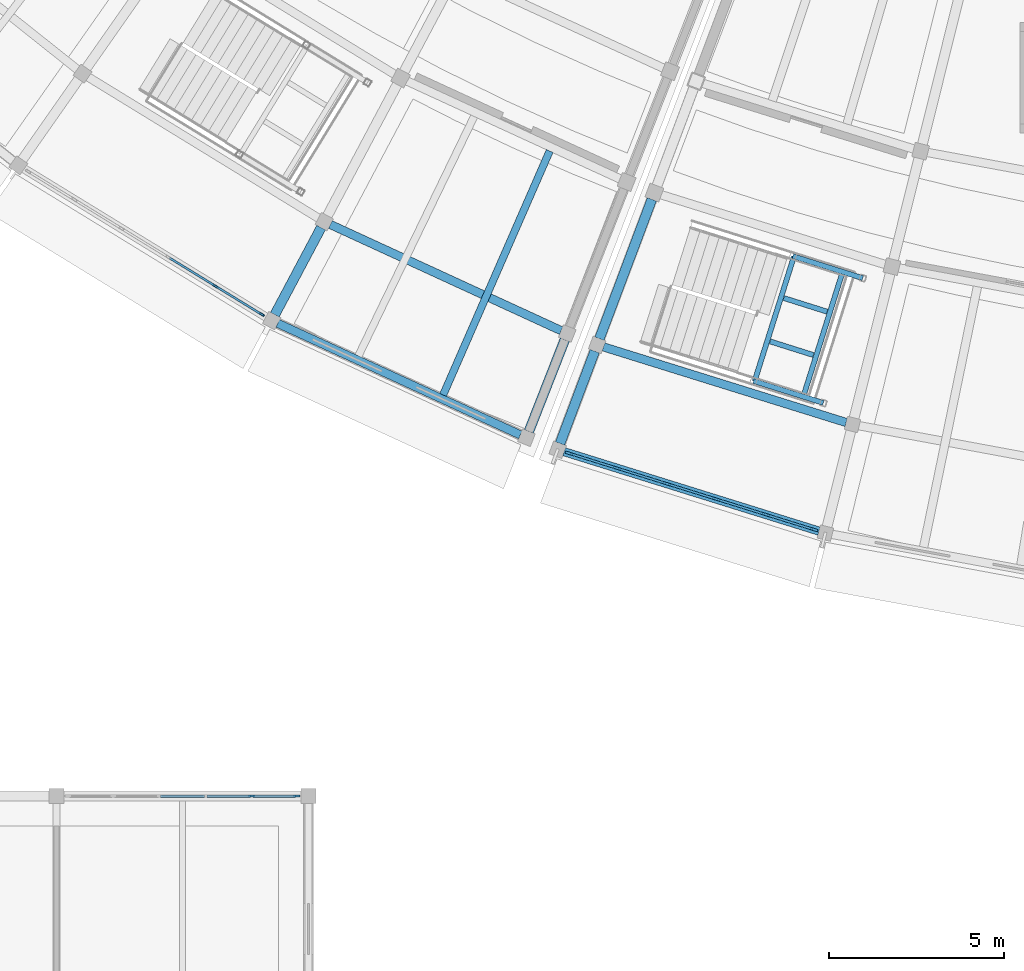
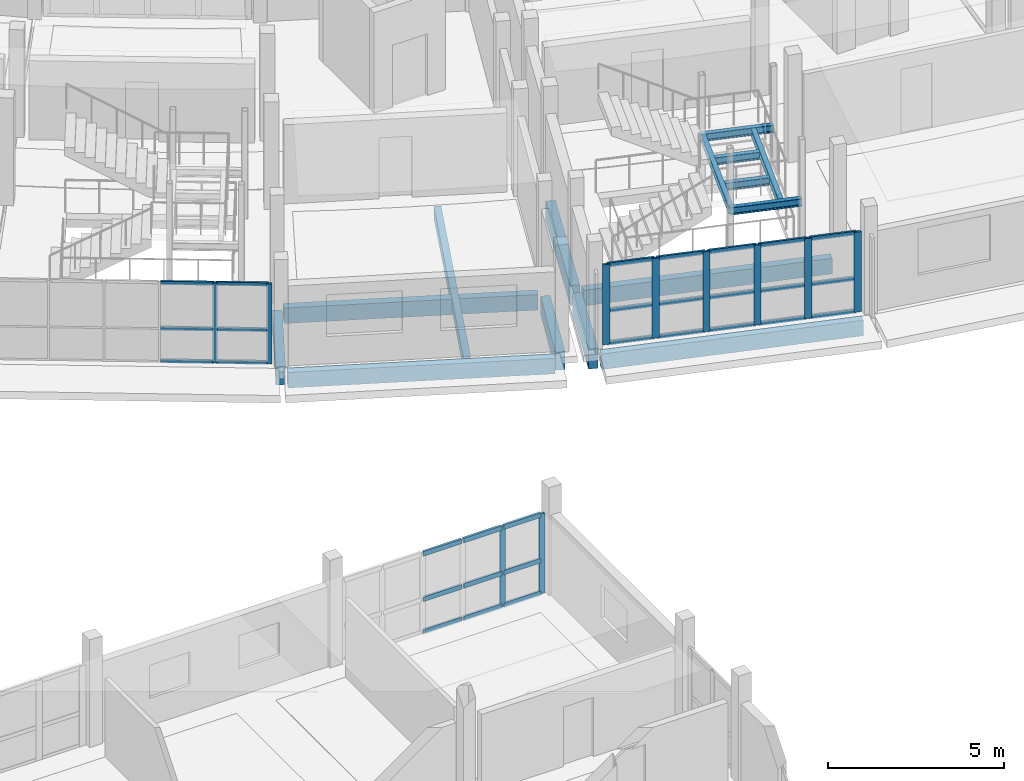
# One storey, part 16 of 66: 40 members, 15 beams, 3 elements without a shape of their own.
"""IFC4 building model written with IfcOpenShell, lengths in metres."""

from ifc_helpers import new_model, si_unit, direction, frame, origin, origin_2d, place, context, subcontext, project, spatial, rectangle, i_section, extrude, material, layer, layer_set, material_profile, profile_set, type_object, element, aggregate, save


model = new_model("IFC4")

# Units and contexts
model_context = context("Model", 3, precision=1e-05, world=origin(), true_north=direction((0.0, 1.0)))
body_context = subcontext(model_context, "Body", "Model", "MODEL_VIEW")
ifc_project = project(units=[si_unit("LENGTHUNIT", "METRE"), si_unit("AREAUNIT", "SQUARE_METRE"), si_unit("VOLUMEUNIT", "CUBIC_METRE"), si_unit("PLANEANGLEUNIT", "RADIAN"), si_unit("MASSUNIT", "GRAM", prefix="KILO")], contexts=[model_context])

# Site, building, storey
site_placement = place(None, origin())
site = spatial("IfcSite", under=ifc_project, at=site_placement, CompositionType="ELEMENT")
building_placement = place(site_placement, origin())
building = spatial("IfcBuilding", under=site, at=building_placement, Name="Caldaven Crescent School", CompositionType="ELEMENT")
storey_placement = place(building_placement, frame((0.0, 0.0, 8.159912109375)))
storey = spatial("IfcBuildingStorey", under=building, at=storey_placement, Name="L02", CompositionType="ELEMENT", Elevation=8.159912109375)

# Beams
ifc_material_1 = material(Name="Glulam MLE24h (GL28h)", Category="wood")
ifc_material_profile_1 = material_profile(ifc_material_1, rectangle(XDim=0.239990234375, YDim=0.5400390625, at=origin_2d()), Name="MLE 240x540")
ifc_profile_set_1 = profile_set([ifc_material_profile_1], Name="Glulam MLE24h (GL28h)")
beam_type_1 = type_object("IfcBeamType", Name="BM-GL54", PredefinedType="BEAM", material=ifc_profile_set_1)
beam_1_placement = place(storey_placement, frame((57.023193359375, 37.337158203125, -0.52001953125), z_axis=(0.908523111099, -0.417834604357, 0.0), x_axis=(0.417834604357, 0.908523111099, 0.0)))
element("IfcBeam", 1, at=beam_1_placement, inside=storey, type_object=beam_type_1, Name="BMT-V4W-L02-1196", PredefinedType="BEAM", context=body_context, shape_type="SweptSolid", body=[
    extrude(rectangle(XDim=0.239990234375, YDim=0.5400390625, at=origin_2d()), origin(), (0.0, 0.0, 1.0), 7.26513671875),
])
beam_2_placement = place(storey_placement, frame((64.830810546875, 33.838134765625, -0.52001953125), z_axis=(0.954751649919, -0.297404248417, 0.0), x_axis=(0.297404248417, 0.954751649919, 0.0)))
element("IfcBeam", 2, at=beam_2_placement, inside=storey, type_object=beam_type_1, Name="BMT-V5-L02-1231", PredefinedType="BEAM", context=body_context, shape_type="SweptSolid", body=[
    extrude(rectangle(XDim=0.239990234375, YDim=0.5400390625, at=origin_2d()), origin(), (0.0, 0.0, 1.0), 7.264892578125),
])
ifc_material_profile_2 = material_profile(ifc_material_1, rectangle(XDim=0.280029296875, YDim=0.6298828125, at=origin_2d()), Name="MLE 280x630")
ifc_profile_set_2 = profile_set([ifc_material_profile_2], Name="Glulam MLE24h (GL28h)")
beam_type_2 = type_object("IfcBeamType", Name="BM-GL63", PredefinedType="BEAM", material=ifc_profile_set_2)
for number, where, z_axis, x_axis, name in (
    (3, (56.761474609375, 37.248779296875, -0.56494140625), (-0.469478008596, -0.882944165531, 0.0), (0.882944165531, -0.469478008596, 0.0), "BMR-V4W-L02-1154"),
    (4, (63.72705078125, 34.045166015625, -0.56494140625), (-0.364813864007, -0.931080471618, 0.0), (0.931080471618, -0.364813864007, 0.0), "BMR-V4W-L02-1158"),
):
    element("IfcBeam", number, at=place(storey_placement, frame(where, z_axis=z_axis, x_axis=x_axis)), inside=storey, type_object=beam_type_2, Name=name, PredefinedType="BEAM", context=body_context, shape_type="SweptSolid", body=[
        extrude(rectangle(XDim=0.280029296875, YDim=0.6298828125, at=origin_2d()), origin(), (0.0, 0.0, 1.0), 2.820068359375),
    ])
ifc_material_profile_3 = material_profile(ifc_material_1, rectangle(XDim=0.280029296875, YDim=0.68994140625, at=origin_2d()), Name="MLE 280x690")
ifc_profile_set_3 = profile_set([ifc_material_profile_3], Name="Glulam MLE24h (GL28h)")
beam_type_3 = type_object("IfcBeamType", Name="BM-GL69", PredefinedType="BEAM", material=ifc_profile_set_3)
beam_3_placement = place(storey_placement, frame((66.213623046875, 38.055419921875, -0.594970703125), z_axis=(-0.351890440491, -0.936041194548, 0.0), x_axis=(0.936041194548, -0.351890440491, 0.0)))
element("IfcBeam", 5, at=beam_3_placement, inside=storey, type_object=beam_type_3, Name="BMR-V5-L02-1202", PredefinedType="BEAM", context=body_context, shape_type="SweptSolid", body=[
    extrude(rectangle(XDim=0.280029296875, YDim=0.68994140625, at=origin_2d()), origin(), (0.0, 0.0, 1.0), 4.255126953125),
])
beam_4_placement = place(storey_placement, frame((64.58251953125, 33.716796875, -0.594970703125), z_axis=(-0.351920262681, -0.936029982807, 0.0), x_axis=(0.936029982807, -0.351920262681, 0.0)))
element("IfcBeam", 6, at=beam_4_placement, inside=storey, type_object=beam_type_3, Name="BMR-V5-L02-1203", PredefinedType="BEAM", context=body_context, shape_type="SweptSolid", body=[
    extrude(rectangle(XDim=0.280029296875, YDim=0.68994140625, at=origin_2d()), origin(), (0.0, 0.0, 1.0), 2.820068359375),
])
ifc_material_2 = material(Name="Steel ASTM A572 Grade 50", Category="steel")
ifc_material_profile_4 = material_profile(ifc_material_2, i_section(OverallWidth=0.14599609375, OverallDepth=0.258056640625, WebThickness=0.006103515625, FlangeThickness=0.009033203125, FilletRadius=0.011962890625, at=origin_2d()), Name="W250x33")
ifc_profile_set_4 = profile_set([ifc_material_profile_4], Name="Steel ASTM A572 Grade 50")
beam_type_4 = type_object("IfcBeamType", Name="BM-W25", PredefinedType="BEAM", material=ifc_profile_set_4)
beam_5_placement = place(storey_placement, frame((69.12109375, 32.864990234375, 1.546142578125), z_axis=(0.95369733951, -0.300767991334, 0.0), x_axis=(0.300767991334, 0.95369733951, 0.0)))
element("IfcBeam", 7, at=beam_5_placement, inside=storey, type_object=beam_type_4, Name="BM-STSIDE-ST2-L02-SL", PredefinedType="BEAM", context=body_context, shape_type="SweptSolid", body=[
    extrude(i_section(OverallWidth=0.14599609375, OverallDepth=0.258056640625, WebThickness=0.006103515625, FlangeThickness=0.009033203125, FilletRadius=0.011962890625, at=origin_2d()), origin(), (0.0, 0.0, 1.0), 2.090087890625),
])
beam_6_placement = place(storey_placement, frame((70.245849609375, 36.431884765625, 1.546142578125), z_axis=(0.953686771574, -0.300801498874, 0.0), x_axis=(0.300801498874, 0.953686771574, 0.0)))
element("IfcBeam", 8, at=beam_6_placement, inside=storey, type_object=beam_type_4, Name="BM-STSIDE-ST2-L02-SR", PredefinedType="BEAM", context=body_context, shape_type="SweptSolid", body=[
    extrude(i_section(OverallWidth=0.14599609375, OverallDepth=0.258056640625, WebThickness=0.006103515625, FlangeThickness=0.009033203125, FilletRadius=0.011962890625, at=origin_2d()), origin(), (0.0, 0.0, 1.0), 2.08984375),
])
for number, where, z_axis, x_axis, name in (
    (9, (69.149658203125, 32.85595703125, 1.546142578125), (0.300734578137, 0.953707876403, 0.0), (-0.953707876403, 0.300734578137, 0.0), "BM-STLND-ST2-L02-IN"),
    (10, (70.542236328125, 32.416748046875, 1.546142578125), (0.300675202446, 0.953726597424, 0.0), (-0.953726597424, 0.300675202446, 0.0), "BM-STLND-ST2-L02-OUT"),
):
    element("IfcBeam", number, at=place(storey_placement, frame(where, z_axis=z_axis, x_axis=x_axis)), inside=storey, type_object=beam_type_4, Name=name, PredefinedType="BEAM", context=body_context, shape_type="SweptSolid", body=[
        extrude(i_section(OverallWidth=0.14599609375, OverallDepth=0.258056640625, WebThickness=0.006103515625, FlangeThickness=0.009033203125, FilletRadius=0.011962890625, at=origin_2d()), origin(), (0.0, 0.0, 1.0), 3.739990234375),
    ])

# Curtain wall, members
ifc_material_3 = material(Name="Anodised aluminium AA 6063-T6 and low-E double glazing", Category="aluminium")
ifc_layer_1 = layer(ifc_material_3, 0.2099609375)
ifc_layer_set_1 = layer_set([ifc_layer_1], Name="Anodised aluminium AA 6063-T6 and low-E double glazing")
curtain_wall_type_1 = type_object("IfcCurtainWallType", Name="CW-SYS3", PredefinedType="NOTDEFINED", material=ifc_layer_set_1)
curtain_wall_1_placement = place(storey_placement, origin())
curtain_wall_1 = element("IfcCurtainWall", 11, at=curtain_wall_1_placement, inside=storey, type_object=curtain_wall_type_1, Name="CW-L02-139", PredefinedType="NOTDEFINED")
ifc_material_4 = material(Name="Anodised aluminium AA 6063-T6", Category="aluminium")
ifc_material_profile_5 = material_profile(ifc_material_4, rectangle(XDim=0.06005859375, YDim=0.14990234375, at=origin_2d()), Name="CWM 60x150")
ifc_profile_set_5 = profile_set([ifc_material_profile_5], Name="Anodised aluminium AA 6063-T6")
member_type_1 = type_object("IfcMemberType", Name="CWM-T1", PredefinedType="MULLION", material=ifc_profile_set_5)
member_1_placement = place(storey_placement, frame((53.74658203125, 35.572509765625, 0.0), z_axis=(0.0, 0.0, 1.0), x_axis=(0.522499361435, 0.852639676124, 0.0)))
member_1 = element("IfcMember", 12, at=member_1_placement, type_object=member_type_1, Name="CW3 mullion 5", PredefinedType="MULLION", context=body_context, shape_type="SweptSolid", body=[
    extrude(rectangle(XDim=0.06005859375, YDim=0.14990234375, at=origin_2d()), origin(), (0.0, 0.0, 1.0), 2.780029296875),
])
member_2_placement = place(storey_placement, frame((55.06689453125, 34.763427734375, 0.0), z_axis=(0.0, 0.0, 1.0), x_axis=(0.522499361435, 0.852639676124, 0.0)))
member_2 = element("IfcMember", 13, at=member_2_placement, type_object=member_type_1, Name="CW3 mullion 6", PredefinedType="MULLION", context=body_context, shape_type="SweptSolid", body=[
    extrude(rectangle(XDim=0.06005859375, YDim=0.14990234375, at=origin_2d()), origin(), (0.0, 0.0, 1.0), 2.780029296875),
])

ifc_layer_2 = layer(ifc_material_3, 0.169921875)
ifc_layer_set_2 = layer_set([ifc_layer_2], Name="Anodised aluminium AA 6063-T6 and low-E double glazing")
curtain_wall_type_2 = type_object("IfcCurtainWallType", Name="CW-SYS1", PredefinedType="NOTDEFINED", material=ifc_layer_set_2)
curtain_wall_2_placement = place(storey_placement, origin())
curtain_wall_2 = element("IfcCurtainWall", 14, at=curtain_wall_2_placement, inside=storey, type_object=curtain_wall_type_2, Name="CW-L02-102", PredefinedType="NOTDEFINED")
ifc_material_profile_6 = material_profile(ifc_material_4, rectangle(XDim=0.06494140625, YDim=0.179931640625, at=origin_2d()), Name="CWM 65x180")
ifc_profile_set_6 = profile_set([ifc_material_profile_6], Name="Anodised aluminium AA 6063-T6")
member_type_2 = type_object("IfcMemberType", Name="CWM-T2", PredefinedType="MULLION", material=ifc_profile_set_6)
member_3_placement = place(storey_placement, frame((54.780029296875, 21.0, 0.0), z_axis=(0.0, 0.0, 1.0), x_axis=(0.0, 1.0, 0.0)))
member_3 = element("IfcMember", 15, at=member_3_placement, type_object=member_type_2, Name="CW1 mullion 5", PredefinedType="MULLION", context=body_context, shape_type="SweptSolid", body=[
    extrude(rectangle(XDim=0.06494140625, YDim=0.179931640625, at=origin_2d()), origin(), (0.0, 0.0, 1.0), 2.780029296875),
])
member_4_placement = place(storey_placement, frame((56.0673828125, 21.0, 0.0), z_axis=(0.0, 0.0, 1.0), x_axis=(0.0, 1.0, 0.0)))
member_4 = element("IfcMember", 16, at=member_4_placement, type_object=member_type_2, Name="CW1 mullion 6", PredefinedType="MULLION", context=body_context, shape_type="SweptSolid", body=[
    extrude(rectangle(XDim=0.06494140625, YDim=0.179931640625, at=origin_2d()), origin(), (0.0, 0.0, 1.0), 2.780029296875),
])

curtain_wall_3_placement = place(storey_placement, origin())
curtain_wall_3 = element("IfcCurtainWall", 17, at=curtain_wall_3_placement, inside=storey, type_object=curtain_wall_type_2, Name="CW-L02-141", PredefinedType="NOTDEFINED")
ifc_material_profile_7 = material_profile(ifc_material_4, rectangle(XDim=0.070068359375, YDim=0.2099609375, at=origin_2d()), Name="CWM 70x210")
ifc_profile_set_7 = profile_set([ifc_material_profile_7], Name="Anodised aluminium AA 6063-T6")
member_type_3 = type_object("IfcMemberType", Name="CWM-T3", PredefinedType="MULLION", material=ifc_profile_set_7)
member_5_placement = place(storey_placement, frame((63.843017578125, 30.7998046875, 0.0), z_axis=(0.0, 0.0, 1.0), x_axis=(0.297420222689, 0.954746673802, 0.0)))
member_5 = element("IfcMember", 18, at=member_5_placement, type_object=member_type_3, Name="CW1 mullion 1", PredefinedType="MULLION", context=body_context, shape_type="SweptSolid", body=[
    extrude(rectangle(XDim=0.070068359375, YDim=0.2099609375, at=origin_2d()), origin(), (0.0, 0.0, 1.0), 2.780029296875),
])
member_6_placement = place(storey_placement, frame((65.225341796875, 30.369140625, 0.0), z_axis=(0.0, 0.0, 1.0), x_axis=(0.297420222689, 0.954746673802, 0.0)))
member_6 = element("IfcMember", 19, at=member_6_placement, type_object=member_type_3, Name="CW1 mullion 2", PredefinedType="MULLION", context=body_context, shape_type="SweptSolid", body=[
    extrude(rectangle(XDim=0.070068359375, YDim=0.2099609375, at=origin_2d()), origin(), (0.0, 0.0, 1.0), 2.780029296875),
])
member_7_placement = place(storey_placement, frame((66.640869140625, 29.92822265625, 0.0), z_axis=(0.0, 0.0, 1.0), x_axis=(0.297420222689, 0.954746673802, 0.0)))
member_7 = element("IfcMember", 20, at=member_7_placement, type_object=member_type_3, Name="CW1 mullion 3", PredefinedType="MULLION", context=body_context, shape_type="SweptSolid", body=[
    extrude(rectangle(XDim=0.070068359375, YDim=0.2099609375, at=origin_2d()), origin(), (0.0, 0.0, 1.0), 2.780029296875),
])
member_8_placement = place(storey_placement, frame((68.056640625, 29.487060546875, 0.0), z_axis=(0.0, 0.0, 1.0), x_axis=(0.297420222689, 0.954746673802, 0.0)))
member_8 = element("IfcMember", 21, at=member_8_placement, type_object=member_type_3, Name="CW1 mullion 4", PredefinedType="MULLION", context=body_context, shape_type="SweptSolid", body=[
    extrude(rectangle(XDim=0.070068359375, YDim=0.2099609375, at=origin_2d()), origin(), (0.0, 0.0, 1.0), 2.780029296875),
])
member_9_placement = place(storey_placement, frame((69.47216796875, 29.046142578125, 0.0), z_axis=(0.0, 0.0, 1.0), x_axis=(0.297420222689, 0.954746673802, 0.0)))
member_9 = element("IfcMember", 22, at=member_9_placement, type_object=member_type_3, Name="CW1 mullion 5", PredefinedType="MULLION", context=body_context, shape_type="SweptSolid", body=[
    extrude(rectangle(XDim=0.070068359375, YDim=0.2099609375, at=origin_2d()), origin(), (0.0, 0.0, 1.0), 2.780029296875),
])
member_10_placement = place(storey_placement, frame((70.8544921875, 28.615478515625, 0.0), z_axis=(0.0, 0.0, 1.0), x_axis=(0.297420222689, 0.954746673802, 0.0)))
member_10 = element("IfcMember", 23, at=member_10_placement, type_object=member_type_3, Name="CW1 mullion 6", PredefinedType="MULLION", context=body_context, shape_type="SweptSolid", body=[
    extrude(rectangle(XDim=0.070068359375, YDim=0.2099609375, at=origin_2d()), origin(), (0.0, 0.0, 1.0), 2.780029296875),
])

# Member
ifc_material_profile_8 = material_profile(ifc_material_4, rectangle(XDim=0.06005859375, YDim=0.1201171875, at=origin_2d()), Name="CWT 60x120")
ifc_profile_set_8 = profile_set([ifc_material_profile_8], Name="Anodised aluminium AA 6063-T6")
member_type_4 = type_object("IfcMemberType", Name="CWT-T1", PredefinedType="USERDEFINED", material=ifc_profile_set_8)
member_11_placement = place(storey_placement, frame((52.426513671875, 36.38134765625, 0.030029296875), z_axis=(0.852689056605, -0.522418771433, 0.0), x_axis=(0.522418771433, 0.852689056605, 0.0)))
member_11 = element("IfcMember", 24, at=member_11_placement, type_object=member_type_4, Name="CW3 transom 4.1", ObjectType="TRANSOM", PredefinedType="USERDEFINED", context=body_context, shape_type="SweptSolid", body=[
    extrude(rectangle(XDim=0.06005859375, YDim=0.1201171875, at=origin_2d()), origin(), (0.0, 0.0, 1.0), 1.518310546875),
])

member_12_placement = place(storey_placement, frame((52.426513671875, 36.38134765625, 1.16796875), z_axis=(0.852689056605, -0.522418771433, 0.0), x_axis=(0.522418771433, 0.852689056605, 0.0)))
member_12 = element("IfcMember", 25, at=member_12_placement, type_object=member_type_4, Name="CW3 transom 4.2", ObjectType="TRANSOM", PredefinedType="USERDEFINED", context=body_context, shape_type="SweptSolid", body=[
    extrude(rectangle(XDim=0.06005859375, YDim=0.1201171875, at=origin_2d()), origin(), (0.0, 0.0, 1.0), 1.518310546875),
])

member_13_placement = place(storey_placement, frame((52.426513671875, 36.38134765625, 2.75), z_axis=(0.852689056605, -0.522418771433, 0.0), x_axis=(0.522418771433, 0.852689056605, 0.0)))
member_13 = element("IfcMember", 26, at=member_13_placement, type_object=member_type_4, Name="CW3 transom 4.3", ObjectType="TRANSOM", PredefinedType="USERDEFINED", context=body_context, shape_type="SweptSolid", body=[
    extrude(rectangle(XDim=0.06005859375, YDim=0.1201171875, at=origin_2d()), origin(), (0.0, 0.0, 1.0), 1.518310546875),
])

member_14_placement = place(storey_placement, frame((53.772216796875, 35.556884765625, 0.030029296875), z_axis=(0.852591822808, -0.52257744276, 0.0), x_axis=(0.52257744276, 0.852591822808, 0.0)))
member_14 = element("IfcMember", 27, at=member_14_placement, type_object=member_type_4, Name="CW3 transom 5.1", ObjectType="TRANSOM", PredefinedType="USERDEFINED", context=body_context, shape_type="SweptSolid", body=[
    extrude(rectangle(XDim=0.06005859375, YDim=0.1201171875, at=origin_2d()), origin(), (0.0, 0.0, 1.0), 1.488525390625),
])

member_15_placement = place(storey_placement, frame((53.772216796875, 35.556884765625, 1.16796875), z_axis=(0.852591822808, -0.52257744276, 0.0), x_axis=(0.52257744276, 0.852591822808, 0.0)))
member_15 = element("IfcMember", 28, at=member_15_placement, type_object=member_type_4, Name="CW3 transom 5.2", ObjectType="TRANSOM", PredefinedType="USERDEFINED", context=body_context, shape_type="SweptSolid", body=[
    extrude(rectangle(XDim=0.06005859375, YDim=0.1201171875, at=origin_2d()), origin(), (0.0, 0.0, 1.0), 1.488525390625),
])

member_16_placement = place(storey_placement, frame((53.772216796875, 35.556884765625, 2.75), z_axis=(0.852591822808, -0.52257744276, 0.0), x_axis=(0.52257744276, 0.852591822808, 0.0)))
member_16 = element("IfcMember", 29, at=member_16_placement, type_object=member_type_4, Name="CW3 transom 5.3", ObjectType="TRANSOM", PredefinedType="USERDEFINED", context=body_context, shape_type="SweptSolid", body=[
    extrude(rectangle(XDim=0.06005859375, YDim=0.1201171875, at=origin_2d()), origin(), (0.0, 0.0, 1.0), 1.488525390625),
])

aggregate(curtain_wall_1, [member_1, member_2, member_11, member_12, member_13, member_14, member_15, member_16])

ifc_material_profile_9 = material_profile(ifc_material_4, rectangle(XDim=0.06494140625, YDim=0.139892578125, at=origin_2d()), Name="CWT 65x140")
ifc_profile_set_9 = profile_set([ifc_material_profile_9], Name="Anodised aluminium AA 6063-T6")
member_type_5 = type_object("IfcMemberType", Name="CWT-T2", PredefinedType="USERDEFINED", material=ifc_profile_set_9)
member_17_placement = place(storey_placement, frame((63.87646484375, 30.789306640625, 0.032470703125), z_axis=(0.954769609805, -0.297346585979, 0.0), x_axis=(0.297346585979, 0.954769609805, 0.0)))
member_17 = element("IfcMember", 30, at=member_17_placement, type_object=member_type_5, Name="CW1 transom 1.1", ObjectType="TRANSOM", PredefinedType="USERDEFINED", context=body_context, shape_type="SweptSolid", body=[
    extrude(rectangle(XDim=0.06494140625, YDim=0.139892578125, at=origin_2d()), origin(), (0.0, 0.0, 1.0), 1.377685546875),
])

member_18_placement = place(storey_placement, frame((63.87646484375, 30.789306640625, 1.16796875), z_axis=(0.954769609805, -0.297346585979, 0.0), x_axis=(0.297346585979, 0.954769609805, 0.0)))
member_18 = element("IfcMember", 31, at=member_18_placement, type_object=member_type_5, Name="CW1 transom 1.2", ObjectType="TRANSOM", PredefinedType="USERDEFINED", context=body_context, shape_type="SweptSolid", body=[
    extrude(rectangle(XDim=0.06494140625, YDim=0.139892578125, at=origin_2d()), origin(), (0.0, 0.0, 1.0), 1.377685546875),
])

member_19_placement = place(storey_placement, frame((63.87646484375, 30.789306640625, 2.74755859375), z_axis=(0.954769609805, -0.297346585979, 0.0), x_axis=(0.297346585979, 0.954769609805, 0.0)))
member_19 = element("IfcMember", 32, at=member_19_placement, type_object=member_type_5, Name="CW1 transom 1.3", ObjectType="TRANSOM", PredefinedType="USERDEFINED", context=body_context, shape_type="SweptSolid", body=[
    extrude(rectangle(XDim=0.06494140625, YDim=0.139892578125, at=origin_2d()), origin(), (0.0, 0.0, 1.0), 1.377685546875),
])

member_20_placement = place(storey_placement, frame((65.2587890625, 30.35888671875, 0.032470703125), z_axis=(0.954688856348, -0.297605758623, 0.0), x_axis=(0.297605758623, 0.954688856348, 0.0)))
member_20 = element("IfcMember", 33, at=member_20_placement, type_object=member_type_5, Name="CW1 transom 2.1", ObjectType="TRANSOM", PredefinedType="USERDEFINED", context=body_context, shape_type="SweptSolid", body=[
    extrude(rectangle(XDim=0.06494140625, YDim=0.139892578125, at=origin_2d()), origin(), (0.0, 0.0, 1.0), 1.41259765625),
])

member_21_placement = place(storey_placement, frame((65.2587890625, 30.35888671875, 1.16796875), z_axis=(0.954688856348, -0.297605758623, 0.0), x_axis=(0.297605758623, 0.954688856348, 0.0)))
member_21 = element("IfcMember", 34, at=member_21_placement, type_object=member_type_5, Name="CW1 transom 2.2", ObjectType="TRANSOM", PredefinedType="USERDEFINED", context=body_context, shape_type="SweptSolid", body=[
    extrude(rectangle(XDim=0.06494140625, YDim=0.139892578125, at=origin_2d()), origin(), (0.0, 0.0, 1.0), 1.41259765625),
])

member_22_placement = place(storey_placement, frame((65.2587890625, 30.35888671875, 2.74755859375), z_axis=(0.954688856348, -0.297605758623, 0.0), x_axis=(0.297605758623, 0.954688856348, 0.0)))
member_22 = element("IfcMember", 35, at=member_22_placement, type_object=member_type_5, Name="CW1 transom 2.3", ObjectType="TRANSOM", PredefinedType="USERDEFINED", context=body_context, shape_type="SweptSolid", body=[
    extrude(rectangle(XDim=0.06494140625, YDim=0.139892578125, at=origin_2d()), origin(), (0.0, 0.0, 1.0), 1.41259765625),
])

member_23_placement = place(storey_placement, frame((66.67431640625, 29.917724609375, 0.032470703125), z_axis=(0.954753237083, -0.297399153126, 0.0), x_axis=(0.297399153126, 0.954753237083, 0.0)))
member_23 = element("IfcMember", 36, at=member_23_placement, type_object=member_type_5, Name="CW1 transom 3.1", ObjectType="TRANSOM", PredefinedType="USERDEFINED", context=body_context, shape_type="SweptSolid", body=[
    extrude(rectangle(XDim=0.06494140625, YDim=0.139892578125, at=origin_2d()), origin(), (0.0, 0.0, 1.0), 1.412841796875),
])

member_24_placement = place(storey_placement, frame((66.67431640625, 29.917724609375, 1.16796875), z_axis=(0.954753237083, -0.297399153126, 0.0), x_axis=(0.297399153126, 0.954753237083, 0.0)))
member_24 = element("IfcMember", 37, at=member_24_placement, type_object=member_type_5, Name="CW1 transom 3.2", ObjectType="TRANSOM", PredefinedType="USERDEFINED", context=body_context, shape_type="SweptSolid", body=[
    extrude(rectangle(XDim=0.06494140625, YDim=0.139892578125, at=origin_2d()), origin(), (0.0, 0.0, 1.0), 1.412841796875),
])

member_25_placement = place(storey_placement, frame((66.67431640625, 29.917724609375, 2.74755859375), z_axis=(0.954753237083, -0.297399153126, 0.0), x_axis=(0.297399153126, 0.954753237083, 0.0)))
member_25 = element("IfcMember", 38, at=member_25_placement, type_object=member_type_5, Name="CW1 transom 3.3", ObjectType="TRANSOM", PredefinedType="USERDEFINED", context=body_context, shape_type="SweptSolid", body=[
    extrude(rectangle(XDim=0.06494140625, YDim=0.139892578125, at=origin_2d()), origin(), (0.0, 0.0, 1.0), 1.412841796875),
])

member_26_placement = place(storey_placement, frame((68.090087890625, 29.476806640625, 0.032470703125), z_axis=(0.954737949254, -0.297448227854, 0.0), x_axis=(0.297448227854, 0.954737949254, 0.0)))
member_26 = element("IfcMember", 39, at=member_26_placement, type_object=member_type_5, Name="CW1 transom 4.1", ObjectType="TRANSOM", PredefinedType="USERDEFINED", context=body_context, shape_type="SweptSolid", body=[
    extrude(rectangle(XDim=0.06494140625, YDim=0.139892578125, at=origin_2d()), origin(), (0.0, 0.0, 1.0), 1.41259765625),
])

member_27_placement = place(storey_placement, frame((68.090087890625, 29.476806640625, 1.16796875), z_axis=(0.954737949254, -0.297448227854, 0.0), x_axis=(0.297448227854, 0.954737949254, 0.0)))
member_27 = element("IfcMember", 40, at=member_27_placement, type_object=member_type_5, Name="CW1 transom 4.2", ObjectType="TRANSOM", PredefinedType="USERDEFINED", context=body_context, shape_type="SweptSolid", body=[
    extrude(rectangle(XDim=0.06494140625, YDim=0.139892578125, at=origin_2d()), origin(), (0.0, 0.0, 1.0), 1.41259765625),
])

member_28_placement = place(storey_placement, frame((68.090087890625, 29.476806640625, 2.74755859375), z_axis=(0.954737949254, -0.297448227854, 0.0), x_axis=(0.297448227854, 0.954737949254, 0.0)))
member_28 = element("IfcMember", 41, at=member_28_placement, type_object=member_type_5, Name="CW1 transom 4.3", ObjectType="TRANSOM", PredefinedType="USERDEFINED", context=body_context, shape_type="SweptSolid", body=[
    extrude(rectangle(XDim=0.06494140625, YDim=0.139892578125, at=origin_2d()), origin(), (0.0, 0.0, 1.0), 1.41259765625),
])

member_29_placement = place(storey_placement, frame((69.505615234375, 29.03564453125, 0.032470703125), z_axis=(0.954769609805, -0.297346585979, 0.0), x_axis=(0.297346585979, 0.954769609805, 0.0)))
member_29 = element("IfcMember", 42, at=member_29_placement, type_object=member_type_5, Name="CW1 transom 5.1", ObjectType="TRANSOM", PredefinedType="USERDEFINED", context=body_context, shape_type="SweptSolid", body=[
    extrude(rectangle(XDim=0.06494140625, YDim=0.139892578125, at=origin_2d()), origin(), (0.0, 0.0, 1.0), 1.377685546875),
])

member_30_placement = place(storey_placement, frame((69.505615234375, 29.03564453125, 1.16796875), z_axis=(0.954769609805, -0.297346585979, 0.0), x_axis=(0.297346585979, 0.954769609805, 0.0)))
member_30 = element("IfcMember", 43, at=member_30_placement, type_object=member_type_5, Name="CW1 transom 5.2", ObjectType="TRANSOM", PredefinedType="USERDEFINED", context=body_context, shape_type="SweptSolid", body=[
    extrude(rectangle(XDim=0.06494140625, YDim=0.139892578125, at=origin_2d()), origin(), (0.0, 0.0, 1.0), 1.377685546875),
])

member_31_placement = place(storey_placement, frame((69.505615234375, 29.03564453125, 2.74755859375), z_axis=(0.954769609805, -0.297346585979, 0.0), x_axis=(0.297346585979, 0.954769609805, 0.0)))
member_31 = element("IfcMember", 44, at=member_31_placement, type_object=member_type_5, Name="CW1 transom 5.3", ObjectType="TRANSOM", PredefinedType="USERDEFINED", context=body_context, shape_type="SweptSolid", body=[
    extrude(rectangle(XDim=0.06494140625, YDim=0.139892578125, at=origin_2d()), origin(), (0.0, 0.0, 1.0), 1.377685546875),
])

aggregate(curtain_wall_3, [member_5, member_6, member_7, member_8, member_9, member_10, member_17, member_18, member_19, member_20, member_21, member_22, member_23, member_24, member_25, member_26, member_27, member_28, member_29, member_30, member_31])

ifc_material_profile_10 = material_profile(ifc_material_4, rectangle(XDim=0.070068359375, YDim=0.159912109375, at=origin_2d()), Name="CWT 70x160")
ifc_profile_set_10 = profile_set([ifc_material_profile_10], Name="Anodised aluminium AA 6063-T6")
member_type_6 = type_object("IfcMemberType", Name="CWT-T3", PredefinedType="USERDEFINED", material=ifc_profile_set_10)
member_32_placement = place(storey_placement, frame((52.172607421875, 21.0, 0.03515625), z_axis=(1.0, 0.0, 0.0), x_axis=(0.0, 1.0, 0.0)))
member_32 = element("IfcMember", 45, at=member_32_placement, type_object=member_type_6, Name="CW1 transom 3.1", ObjectType="TRANSOM", PredefinedType="USERDEFINED", context=body_context, shape_type="SweptSolid", body=[
    extrude(rectangle(XDim=0.070068359375, YDim=0.159912109375, at=origin_2d()), origin(), (0.0, 0.0, 1.0), 1.2548828125),
])

member_33_placement = place(storey_placement, frame((52.172607421875, 21.0, 1.16796875), z_axis=(1.0, 0.0, 0.0), x_axis=(0.0, 1.0, 0.0)))
member_33 = element("IfcMember", 46, at=member_33_placement, type_object=member_type_6, Name="CW1 transom 3.2", ObjectType="TRANSOM", PredefinedType="USERDEFINED", context=body_context, shape_type="SweptSolid", body=[
    extrude(rectangle(XDim=0.070068359375, YDim=0.159912109375, at=origin_2d()), origin(), (0.0, 0.0, 1.0), 1.2548828125),
])

member_34_placement = place(storey_placement, frame((52.172607421875, 21.0, 2.7451171875), z_axis=(1.0, 0.0, 0.0), x_axis=(0.0, 1.0, 0.0)))
member_34 = element("IfcMember", 47, at=member_34_placement, type_object=member_type_6, Name="CW1 transom 3.3", ObjectType="TRANSOM", PredefinedType="USERDEFINED", context=body_context, shape_type="SweptSolid", body=[
    extrude(rectangle(XDim=0.070068359375, YDim=0.159912109375, at=origin_2d()), origin(), (0.0, 0.0, 1.0), 1.2548828125),
])

member_35_placement = place(storey_placement, frame((53.492431640625, 21.0, 0.03515625), z_axis=(1.0, 0.0, 0.0), x_axis=(0.0, 1.0, 0.0)))
member_35 = element("IfcMember", 48, at=member_35_placement, type_object=member_type_6, Name="CW1 transom 4.1", ObjectType="TRANSOM", PredefinedType="USERDEFINED", context=body_context, shape_type="SweptSolid", body=[
    extrude(rectangle(XDim=0.070068359375, YDim=0.159912109375, at=origin_2d()), origin(), (0.0, 0.0, 1.0), 1.255126953125),
])

member_36_placement = place(storey_placement, frame((53.492431640625, 21.0, 1.16796875), z_axis=(1.0, 0.0, 0.0), x_axis=(0.0, 1.0, 0.0)))
member_36 = element("IfcMember", 49, at=member_36_placement, type_object=member_type_6, Name="CW1 transom 4.2", ObjectType="TRANSOM", PredefinedType="USERDEFINED", context=body_context, shape_type="SweptSolid", body=[
    extrude(rectangle(XDim=0.070068359375, YDim=0.159912109375, at=origin_2d()), origin(), (0.0, 0.0, 1.0), 1.255126953125),
])

member_37_placement = place(storey_placement, frame((53.492431640625, 21.0, 2.7451171875), z_axis=(1.0, 0.0, 0.0), x_axis=(0.0, 1.0, 0.0)))
member_37 = element("IfcMember", 50, at=member_37_placement, type_object=member_type_6, Name="CW1 transom 4.3", ObjectType="TRANSOM", PredefinedType="USERDEFINED", context=body_context, shape_type="SweptSolid", body=[
    extrude(rectangle(XDim=0.070068359375, YDim=0.159912109375, at=origin_2d()), origin(), (0.0, 0.0, 1.0), 1.255126953125),
])

member_38_placement = place(storey_placement, frame((54.8125, 21.0, 0.03515625), z_axis=(1.0, 0.0, 0.0), x_axis=(0.0, 1.0, 0.0)))
member_38 = element("IfcMember", 51, at=member_38_placement, type_object=member_type_6, Name="CW1 transom 5.1", ObjectType="TRANSOM", PredefinedType="USERDEFINED", context=body_context, shape_type="SweptSolid", body=[
    extrude(rectangle(XDim=0.070068359375, YDim=0.159912109375, at=origin_2d()), origin(), (0.0, 0.0, 1.0), 1.222412109375),
])

member_39_placement = place(storey_placement, frame((54.8125, 21.0, 1.16796875), z_axis=(1.0, 0.0, 0.0), x_axis=(0.0, 1.0, 0.0)))
member_39 = element("IfcMember", 52, at=member_39_placement, type_object=member_type_6, Name="CW1 transom 5.2", ObjectType="TRANSOM", PredefinedType="USERDEFINED", context=body_context, shape_type="SweptSolid", body=[
    extrude(rectangle(XDim=0.070068359375, YDim=0.159912109375, at=origin_2d()), origin(), (0.0, 0.0, 1.0), 1.222412109375),
])

member_40_placement = place(storey_placement, frame((54.8125, 21.0, 2.7451171875), z_axis=(1.0, 0.0, 0.0), x_axis=(0.0, 1.0, 0.0)))
member_40 = element("IfcMember", 53, at=member_40_placement, type_object=member_type_6, Name="CW1 transom 5.3", ObjectType="TRANSOM", PredefinedType="USERDEFINED", context=body_context, shape_type="SweptSolid", body=[
    extrude(rectangle(XDim=0.070068359375, YDim=0.159912109375, at=origin_2d()), origin(), (0.0, 0.0, 1.0), 1.222412109375),
])

aggregate(curtain_wall_2, [member_3, member_4, member_32, member_33, member_34, member_35, member_36, member_37, member_38, member_39, member_40])

# Beams
ifc_material_profile_11 = material_profile(ifc_material_1, rectangle(XDim=0.2099609375, YDim=0.419921875, at=origin_2d()), Name="MLE 210x420")
ifc_profile_set_11 = profile_set([ifc_material_profile_11], Name="Glulam MLE24h (GL28h)")
beam_type_5 = type_object("IfcBeamType", Name="JS-GL42", PredefinedType="JOIST", material=ifc_profile_set_11)
beam_7_placement = place(storey_placement, frame((63.293701171875, 39.4365234375, -0.4599609375), z_axis=(-0.400291901065, -0.916387687576, 0.0), x_axis=(0.916387687576, -0.400291901065, 0.0)))
element("IfcBeam", 54, at=beam_7_placement, inside=storey, type_object=beam_type_5, Name="JSR-V4W-L02-1199", PredefinedType="JOIST", context=body_context, shape_type="SweptSolid", body=[
    extrude(rectangle(XDim=0.2099609375, YDim=0.419921875, at=origin_2d()), origin(), (0.0, 0.0, 1.0), 7.608642578125),
])
ifc_material_profile_12 = material_profile(ifc_material_2, i_section(OverallWidth=0.14599609375, OverallDepth=0.258056640625, WebThickness=0.006103515625, FlangeThickness=0.009033203125, FilletRadius=0.011962890625, at=origin_2d()), Name="W250x33")
ifc_profile_set_12 = profile_set([ifc_material_profile_12], Name="Steel ASTM A572 Grade 50")
beam_type_6 = type_object("IfcBeamType", Name="LN-W25", PredefinedType="LINTEL", material=ifc_profile_set_12)
for number, where, z_axis, x_axis, name in (
    (55, (69.593017578125, 33.995361328125, 1.546142578125), (0.953721650171, -0.300690894432, 0.0), (0.300690894432, 0.953721650171, 0.0), "BM-STJST-ST2-L02-JL"),
    (56, (69.98388671875, 35.235107421875, 1.546142578125), (0.953721650171, -0.300690894432, 0.0), (0.300690894432, 0.953721650171, 0.0), "BM-STJST-ST2-L02-JR"),
):
    element("IfcBeam", number, at=place(storey_placement, frame(where, z_axis=z_axis, x_axis=x_axis)), inside=storey, type_object=beam_type_6, Name=name, PredefinedType="LINTEL", context=body_context, shape_type="SweptSolid", body=[
        extrude(i_section(OverallWidth=0.14599609375, OverallDepth=0.258056640625, WebThickness=0.006103515625, FlangeThickness=0.009033203125, FilletRadius=0.011962890625, at=origin_2d()), origin(), (0.0, 0.0, 1.0), 1.2998046875),
    ])
ifc_material_profile_13 = material_profile(ifc_material_1, rectangle(XDim=0.239990234375, YDim=0.5400390625, at=origin_2d()), Name="MLE 240x540")
ifc_profile_set_13 = profile_set([ifc_material_profile_13], Name="Glulam MLE24h (GL28h)")
beam_type_7 = type_object("IfcBeamType", Name="SP-GL54", PredefinedType="SPANDREL", material=ifc_profile_set_13)
for number, where, z_axis, x_axis, name in (
    (57, (55.520751953125, 34.51171875, -0.52001953125), (0.908522990754, -0.417834866031, 0.0), (0.417834866031, 0.908522990754, 0.0), "BMT-V4W-L02-1197"),
    (58, (63.70458984375, 30.843017578125, -0.52001953125), (0.954744218179, -0.297428105352, 0.0), (0.297428105352, 0.954744218179, 0.0), "BMT-V5-L02-1232"),
):
    element("IfcBeam", number, at=place(storey_placement, frame(where, z_axis=z_axis, x_axis=x_axis)), inside=storey, type_object=beam_type_7, Name=name, PredefinedType="SPANDREL", context=body_context, shape_type="SweptSolid", body=[
        extrude(rectangle(XDim=0.239990234375, YDim=0.5400390625, at=origin_2d()), origin(), (0.0, 0.0, 1.0), 7.6337890625),
    ])

save(model, "model.ifc")
